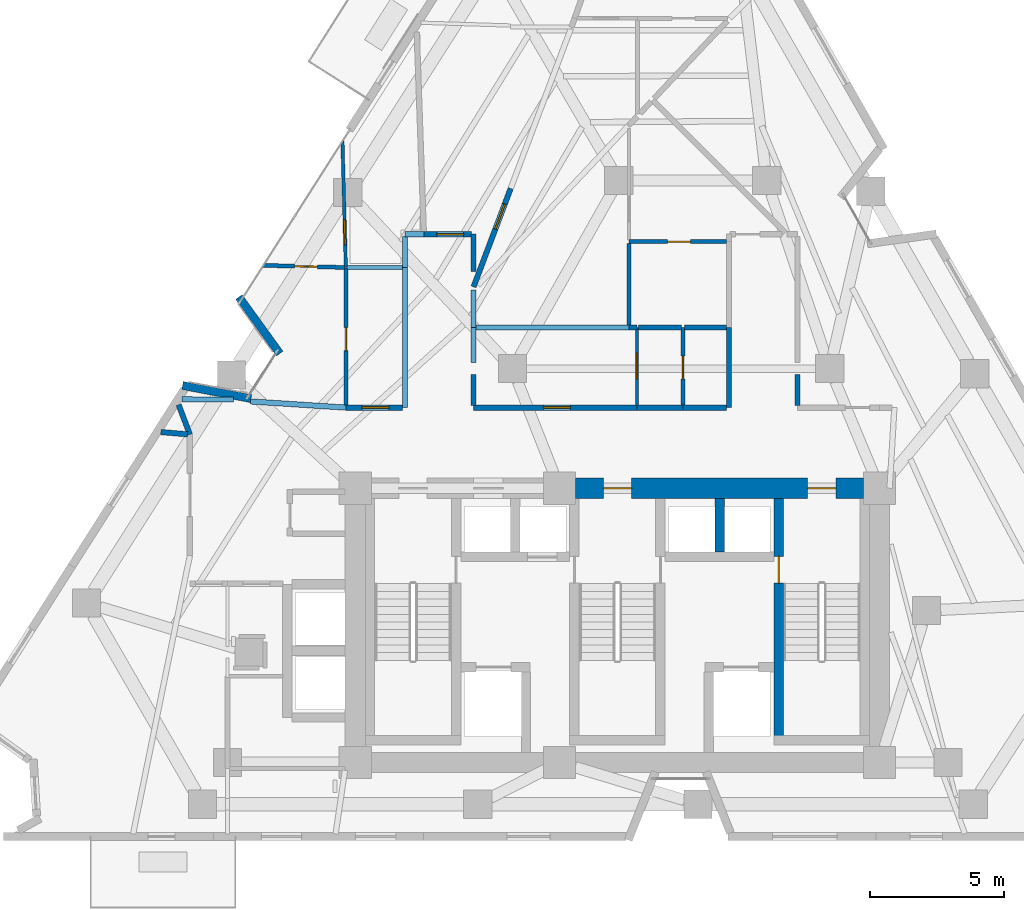
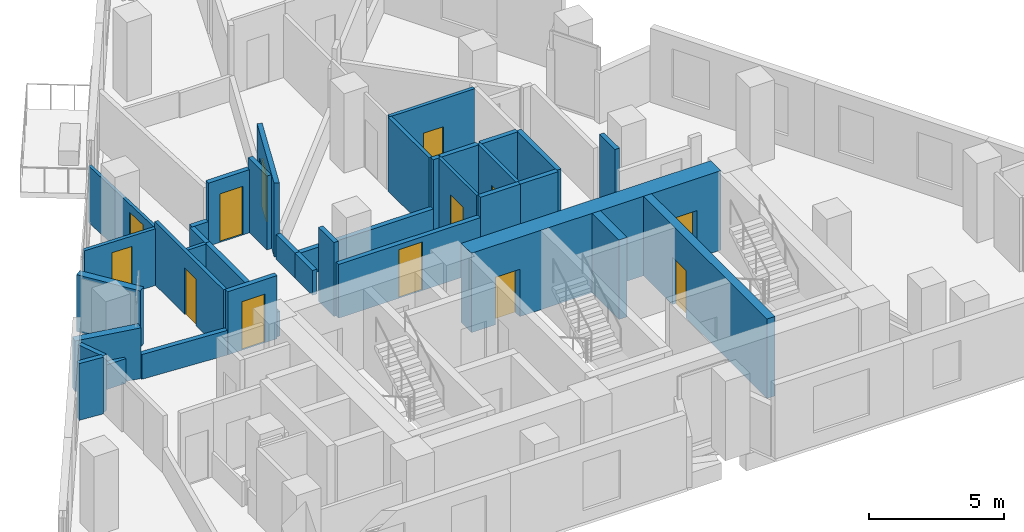
# One storey, part 7 of 11: 36 walls, 13 doors, 13 openings.
"""IFC4 building model written with IfcOpenShell, lengths in metres."""

from ifc_helpers import new_model, si_unit, direction, frame, frame_2d, origin, place, context, subcontext, project, spatial, rectangle, extrude, material, layer, layer_set, type_object, element, fill, save


model = new_model("IFC4")

# Units and contexts
model_context = context("Model", 3, precision=1e-05, world=origin(), true_north=direction((0.0, 1.0)))
body_context = subcontext(model_context, "Body", "Model", "MODEL_VIEW")
ifc_project = project(units=[si_unit("LENGTHUNIT", "METRE"), si_unit("AREAUNIT", "SQUARE_METRE"), si_unit("VOLUMEUNIT", "CUBIC_METRE"), si_unit("PLANEANGLEUNIT", "RADIAN"), si_unit("MASSUNIT", "GRAM", prefix="KILO")], contexts=[model_context])

# Site, building, storey
site_placement = place(None, origin())
site = spatial("IfcSite", under=ifc_project, at=site_placement, CompositionType="ELEMENT")
building_placement = place(site_placement, origin())
building = spatial("IfcBuilding", under=site, at=building_placement, Name="Almagre Mirador Tower", CompositionType="ELEMENT")
storey_placement = place(building_placement, frame((0.0, 0.0, 150.0)))
storey = spatial("IfcBuildingStorey", under=building, at=storey_placement, Name="L38", CompositionType="ELEMENT", Elevation=150.0)

# Walls
ifc_material_1 = material(Name="Precast concrete C50/60", Category="concrete")
ifc_layer_1 = layer(ifc_material_1, 0.300048828125)
ifc_layer_set_1 = layer_set([ifc_layer_1], Name="Precast concrete C50/60")
wall_type_1 = type_object("IfcWallType", Name="WAL-EXT-300", PredefinedType="SOLIDWALL", material=ifc_layer_set_1)
wall_1_placement = place(storey_placement, frame((21.12548828125, 18.5712890625, 0.0), z_axis=(0.0, 0.0, 1.0), x_axis=(0.982321262429, -0.187202931012, 0.0)))
element("IfcWall", 1, at=wall_1_placement, inside=storey, type_object=wall_type_1, Name="L38 expressed almagre precast frame wall 01", PredefinedType="SOLIDWALL", context=body_context, shape_type="SweptSolid", body=[
    extrude(rectangle(XDim=2.593994140625, YDim=0.300048828125, at=frame_2d((1.296875, 0.0))), origin(), (0.0, 0.0, 1.0), 2.300048828125),
])
wall_2_placement = place(storey_placement, frame((24.740966796875, 19.760498046875, 0.0), z_axis=(0.0, 0.0, 1.0), x_axis=(-0.585538656592, 0.810644485355, 0.0)))
element("IfcWall", 2, at=wall_2_placement, inside=storey, type_object=wall_type_1, Name="L38 expressed almagre precast frame wall 02", PredefinedType="SOLIDWALL", context=body_context, shape_type="SweptSolid", body=[
    extrude(rectangle(XDim=2.59423828125, YDim=0.300048828125, at=frame_2d((1.297119140625, 0.0))), origin(), (0.0, 0.0, 1.0), 2.574951171875),
])

# Wall, opening, door
ifc_material_2 = material(Name="Gypsum acoustic stud partition", Category="other")
ifc_layer_2 = layer(ifc_material_2, 0.125)
ifc_layer_set_2 = layer_set([ifc_layer_2], Name="Gypsum acoustic stud partition")
wall_type_2 = type_object("IfcWallType", Name="WAL-PRT-125-UTL", PredefinedType="PARTITIONING", material=ifc_layer_set_2)
wall_3_placement = place(storey_placement, frame((38.030029296875, 17.8349609375, 0.0), z_axis=(0.0, 0.0, 1.0), x_axis=(0.0, 1.0, 0.0)))
wall_3 = element("IfcWall", 3, at=wall_3_placement, inside=storey, type_object=wall_type_2, Name="L38 interior partition 054", PredefinedType="PARTITIONING", context=body_context, shape_type="SweptSolid", body=[
    extrude(rectangle(XDim=2.89501953125, YDim=0.125, at=frame_2d((1.447509765625, 0.0))), origin(), (0.0, 0.0, 1.0), 3.35009765625),
])
opening_1_placement = place(wall_3_placement, frame((0.98828125, 0.0, 0.0)))
opening_1 = element("IfcOpeningElement", 4, at=opening_1_placement, cuts=wall_3, Name="Opening UD-01", PredefinedType="OPENING", context=body_context, shape_type="SweptSolid", body=[
    extrude(rectangle(XDim=0.949951171875, YDim=2.199951171875, at=frame_2d((0.47509765625, 1.10009765625))), frame((0.0, 0.0725, 0.0), z_axis=(0.0, -1.0, 0.0), x_axis=(1.0, 0.0, 0.0)), (0.0, 0.0, 1.0), 0.145),
])
ifc_material_3 = material(Name="Solid American walnut timber", Category="wood")
door_type_1 = type_object("IfcDoorType", Name="DOR-UNR-950X2200", OperationType="NOTDEFINED", PredefinedType="DOOR", material=ifc_material_3)
door_1_placement = place(opening_1_placement, origin())
door_1 = element("IfcDoor", 5, at=door_1_placement, inside=storey, type_object=door_type_1, Name="DR-1236 L38 interior door L38-UF-ST to L38-UF-KT", OperationType="SINGLE_SWING_RIGHT", OverallHeight=2.199951171875, OverallWidth=0.949951171875, PredefinedType="DOOR", context=body_context, shape_type="SweptSolid", body=[
    extrude(rectangle(XDim=0.949951171875, YDim=2.199951171875, at=frame_2d((0.47509765625, 1.10009765625))), frame((0.0, 0.02490234375, 0.0), z_axis=(0.0, -1.0, 0.0), x_axis=(1.0, 0.0, 0.0)), (0.0, 0.0, 1.0), 0.050048828125),
])
fill(opening_1, door_1)

wall_4_placement = place(storey_placement, frame((27.073974609375, 27.669921875, 0.0), z_axis=(0.0, 0.0, 1.0), x_axis=(0.026737275943, -0.999642495133, 0.0)))
wall_4 = element("IfcWall", 6, at=wall_4_placement, inside=storey, type_object=wall_type_2, Name="L38 interior partition 060", PredefinedType="PARTITIONING", context=body_context, shape_type="SweptSolid", body=[
    extrude(rectangle(XDim=4.711669921875, YDim=0.125, at=frame_2d((2.35595703125, 0.0))), origin(), (0.0, 0.0, 1.0), 2.570068359375),
])
opening_2_placement = place(wall_4_placement, frame((2.92529296875, 0.0, 0.0)))
opening_2 = element("IfcOpeningElement", 7, at=opening_2_placement, cuts=wall_4, Name="Opening UD-01", PredefinedType="OPENING", context=body_context, shape_type="SweptSolid", body=[
    extrude(rectangle(XDim=0.949951171875, YDim=2.199951171875, at=frame_2d((0.47509765625, 1.10009765625))), frame((0.0, 0.0725, 0.0), z_axis=(0.0, -1.0, 0.0), x_axis=(1.0, 0.0, 0.0)), (0.0, 0.0, 1.0), 0.145),
])
door_2_placement = place(opening_2_placement, origin())
door_2 = element("IfcDoor", 8, at=door_2_placement, inside=storey, type_object=door_type_1, Name="DR-1239 L38 interior door L38-UG-LV to L38-UG-KT", OperationType="SINGLE_SWING_LEFT", OverallHeight=2.199951171875, OverallWidth=0.949951171875, PredefinedType="DOOR", context=body_context, shape_type="SweptSolid", body=[
    extrude(rectangle(XDim=0.949951171875, YDim=2.199951171875, at=frame_2d((0.47509765625, 1.10009765625))), frame((0.0, 0.02490234375, 0.0), z_axis=(0.0, -1.0, 0.0), x_axis=(1.0, 0.0, 0.0)), (0.0, 0.0, 1.0), 0.050048828125),
])
fill(opening_2, door_2)

ifc_material_4 = material(Name="Gypsum acoustic stud partition", Category="other")
ifc_layer_3 = layer(ifc_material_4, 0.14990234375)
ifc_layer_set_3 = layer_set([ifc_layer_3], Name="Gypsum acoustic stud partition")
wall_type_3 = type_object("IfcWallType", Name="WAL-PRT-150-STD", PredefinedType="PARTITIONING", material=ifc_layer_set_3)
wall_5_placement = place(storey_placement, frame((39.739990234375, 17.8349609375, 0.0), z_axis=(0.0, 0.0, 1.0), x_axis=(0.0, 1.0, 0.0)))
wall_5 = element("IfcWall", 9, at=wall_5_placement, inside=storey, type_object=wall_type_3, Name="L38 interior partition 057", PredefinedType="PARTITIONING", context=body_context, shape_type="SweptSolid", body=[
    extrude(rectangle(XDim=2.89501953125, YDim=0.14990234375, at=frame_2d((1.447509765625, 0.0))), origin(), (0.0, 0.0, 1.0), 3.35009765625),
])
opening_3_placement = place(wall_5_placement, frame((0.97998046875, 0.0, 0.0)))
opening_3 = element("IfcOpeningElement", 10, at=opening_3_placement, cuts=wall_5, Name="Opening UD-04", PredefinedType="OPENING", context=body_context, shape_type="SweptSolid", body=[
    extrude(rectangle(XDim=0.85009765625, YDim=2.10009765625, at=frame_2d((0.425048828125, 1.050048828125))), frame((0.0, 0.084951, 0.0), z_axis=(0.0, -1.0, 0.0), x_axis=(1.0, 0.0, 0.0)), (0.0, 0.0, 1.0), 0.169902),
])
ifc_material_5 = material(Name="Moisture-resistant oak timber", Category="wood")
door_type_2 = type_object("IfcDoorType", Name="DOR-UNR-850X2100", OperationType="NOTDEFINED", PredefinedType="DOOR", material=ifc_material_5)
door_3_placement = place(opening_3_placement, origin())
door_3 = element("IfcDoor", 11, at=door_3_placement, inside=storey, type_object=door_type_2, Name="DR-1237 L38 interior door L38-UF-KT to L38-UF-BT", OperationType="SINGLE_SWING_LEFT", OverallHeight=2.10009765625, OverallWidth=0.85009765625, PredefinedType="DOOR", context=body_context, shape_type="SweptSolid", body=[
    extrude(rectangle(XDim=0.85009765625, YDim=2.10009765625, at=frame_2d((0.425048828125, 1.050048828125))), frame((0.0, 0.02490234375, 0.0), z_axis=(0.0, -1.0, 0.0), x_axis=(1.0, 0.0, 0.0)), (0.0, 0.0, 1.0), 0.050048828125),
])
fill(opening_3, door_3)

# Wall
wall_6_placement = place(storey_placement, frame((27.24755859375, 22.9599609375, 0.0), z_axis=(0.0, 0.0, 1.0), x_axis=(1.0, 0.0, 0.0)))
element("IfcWall", 12, at=wall_6_placement, inside=storey, type_object=wall_type_3, Name="L38 interior partition 061", PredefinedType="PARTITIONING", context=body_context, shape_type="SweptSolid", body=[
    extrude(rectangle(XDim=2.0673828125, YDim=0.14990234375, at=frame_2d((1.03369140625, 0.0))), origin(), (0.0, 0.0, 1.0), 1.1201171875),
])

# Wall, opening, door
wall_7_placement = place(storey_placement, frame((27.152587890625, 22.961181640625, 0.0), z_axis=(0.0, 0.0, 1.0), x_axis=(-0.999660967969, 0.026037456064, 0.0)))
wall_7 = element("IfcWall", 13, at=wall_7_placement, inside=storey, type_object=wall_type_3, Name="L38 interior partition 063", PredefinedType="PARTITIONING", context=body_context, shape_type="SweptSolid", body=[
    extrude(rectangle(XDim=3.028564453125, YDim=0.14990234375, at=frame_2d((1.51416015625, 0.0))), origin(), (0.0, 0.0, 1.0), 2.570068359375),
])
opening_4_placement = place(wall_7_placement, frame((1.00830078125, 0.0, 0.0)))
opening_4 = element("IfcOpeningElement", 14, at=opening_4_placement, cuts=wall_7, Name="Opening UD-04", PredefinedType="OPENING", context=body_context, shape_type="SweptSolid", body=[
    extrude(rectangle(XDim=0.85009765625, YDim=2.10009765625, at=frame_2d((0.425048828125, 1.050048828125))), frame((0.0, 0.084951, 0.0), z_axis=(0.0, -1.0, 0.0), x_axis=(1.0, 0.0, 0.0)), (0.0, 0.0, 1.0), 0.169902),
])
door_4_placement = place(opening_4_placement, origin())
door_4 = element("IfcDoor", 15, at=door_4_placement, inside=storey, type_object=door_type_2, Name="DR-1240 L38 interior door L38-UG-BT to L38-UG-KT", OperationType="SINGLE_SWING_RIGHT", OverallHeight=2.10009765625, OverallWidth=0.85009765625, PredefinedType="DOOR", context=body_context, shape_type="SweptSolid", body=[
    extrude(rectangle(XDim=0.85009765625, YDim=2.10009765625, at=frame_2d((0.425048828125, 1.050048828125))), frame((0.0, 0.02490234375, 0.0), z_axis=(0.0, -1.0, 0.0), x_axis=(1.0, 0.0, 0.0)), (0.0, 0.0, 1.0), 0.050048828125),
])
fill(opening_4, door_4)

wall_8_placement = place(storey_placement, frame((27.199951171875, 17.8349609375, 0.0), z_axis=(0.0, 0.0, 1.0), x_axis=(0.0, 1.0, 0.0)))
wall_8 = element("IfcWall", 16, at=wall_8_placement, inside=storey, type_object=wall_type_3, Name="L38 interior partition 064", PredefinedType="PARTITIONING", context=body_context, shape_type="SweptSolid", body=[
    extrude(rectangle(XDim=5.112548828125, YDim=0.14990234375, at=frame_2d((2.55615234375, 0.0))), origin(), (0.0, 0.0, 1.0), 2.860107421875),
])
opening_5_placement = place(wall_8_placement, frame((2.03662109375, 0.0, 0.0)))
opening_5 = element("IfcOpeningElement", 17, at=opening_5_placement, cuts=wall_8, Name="Opening UD-04", PredefinedType="OPENING", context=body_context, shape_type="SweptSolid", body=[
    extrude(rectangle(XDim=0.85009765625, YDim=2.10009765625, at=frame_2d((0.425048828125, 1.050048828125))), frame((0.0, 0.084951, 0.0), z_axis=(0.0, -1.0, 0.0), x_axis=(1.0, 0.0, 0.0)), (0.0, 0.0, 1.0), 0.169902),
])
door_5_placement = place(opening_5_placement, origin())
door_5 = element("IfcDoor", 18, at=door_5_placement, inside=storey, type_object=door_type_2, Name="DR-1249 L38 interior door L38-UG-BT to L38-UG-B1", OperationType="SINGLE_SWING_LEFT", OverallHeight=2.10009765625, OverallWidth=0.85009765625, PredefinedType="DOOR", context=body_context, shape_type="SweptSolid", body=[
    extrude(rectangle(XDim=0.85009765625, YDim=2.10009765625, at=frame_2d((0.425048828125, 1.050048828125))), frame((0.0, 0.02490234375, 0.0), z_axis=(0.0, -1.0, 0.0), x_axis=(1.0, 0.0, 0.0)), (0.0, 0.0, 1.0), 0.050048828125),
])
fill(opening_5, door_5)

wall_9_placement = place(storey_placement, frame((37.72998046875, 23.919921875, 0.0), z_axis=(0.0, 0.0, 1.0), x_axis=(1.0, 0.0, 0.0)))
wall_9 = element("IfcWall", 19, at=wall_9_placement, inside=storey, type_object=wall_type_3, Name="L38 interior partition 065", PredefinedType="PARTITIONING", context=body_context, shape_type="SweptSolid", body=[
    extrude(rectangle(XDim=3.635009765625, YDim=0.14990234375, at=frame_2d((1.8173828125, 0.0))), origin(), (0.0, 0.0, 1.0), 3.35009765625),
])
opening_6_placement = place(wall_9_placement, frame((1.43505859375, 0.0, 0.0)))
opening_6 = element("IfcOpeningElement", 20, at=opening_6_placement, cuts=wall_9, Name="Opening UD-04", PredefinedType="OPENING", context=body_context, shape_type="SweptSolid", body=[
    extrude(rectangle(XDim=0.85009765625, YDim=2.10009765625, at=frame_2d((0.425048828125, 1.050048828125))), frame((0.0, 0.084951, 0.0), z_axis=(0.0, -1.0, 0.0), x_axis=(1.0, 0.0, 0.0)), (0.0, 0.0, 1.0), 0.169902),
])
door_6_placement = place(opening_6_placement, origin())
door_6 = element("IfcDoor", 21, at=door_6_placement, inside=storey, type_object=door_type_2, Name="DR-1243 L38 interior door L38-UH-ST to L38-UH-BT", OperationType="SINGLE_SWING_RIGHT", OverallHeight=2.10009765625, OverallWidth=0.85009765625, PredefinedType="DOOR", context=body_context, shape_type="SweptSolid", body=[
    extrude(rectangle(XDim=0.85009765625, YDim=2.10009765625, at=frame_2d((0.425048828125, 1.050048828125))), frame((0.0, 0.02490234375, 0.0), z_axis=(0.0, -1.0, 0.0), x_axis=(1.0, 0.0, 0.0)), (0.0, 0.0, 1.0), 0.050048828125),
])
fill(opening_6, door_6)

# Walls
wall_10_placement = place(storey_placement, frame((37.72998046875, 23.860107421875, 0.0), z_axis=(0.0, 0.0, 1.0), x_axis=(0.0, -1.0, 0.0)))
element("IfcWall", 22, at=wall_10_placement, inside=storey, type_object=wall_type_3, Name="L38 interior partition 070", PredefinedType="PARTITIONING", context=body_context, shape_type="SweptSolid", body=[
    extrude(rectangle(XDim=3.045166015625, YDim=0.14990234375, at=frame_2d((1.5224609375, 0.0))), origin(), (0.0, 0.0, 1.0), 3.35009765625),
])
ifc_material_6 = material(Name="Gypsum acoustic stud partition", Category="other")
ifc_layer_4 = layer(ifc_material_6, 0.199951171875)
ifc_layer_set_4 = layer_set([ifc_layer_4], Name="Gypsum acoustic stud partition")
wall_type_4 = type_object("IfcWallType", Name="WAL-PRT-200-EI60", PredefinedType="PARTITIONING", material=ifc_layer_set_4)
wall_11_placement = place(storey_placement, frame((44.0, 17.8349609375, 0.0), z_axis=(0.0, 0.0, 1.0), x_axis=(0.0, 1.0, 0.0)))
element("IfcWall", 23, at=wall_11_placement, inside=storey, type_object=wall_type_4, Name="L38 interior partition 008", PredefinedType="PARTITIONING", context=body_context, shape_type="SweptSolid", body=[
    extrude(rectangle(XDim=1.14501953125, YDim=0.199951171875, at=frame_2d((0.572509765625, 0.0))), origin(), (0.0, 0.0, 1.0), 3.35009765625),
])

# Wall, opening, door
wall_12_placement = place(storey_placement, frame((38.030029296875, 17.75, 0.0), z_axis=(0.0, 0.0, 1.0), x_axis=(-1.0, 0.0, 0.0)))
wall_12 = element("IfcWall", 24, at=wall_12_placement, inside=storey, type_object=wall_type_4, Name="L38 interior partition 010", PredefinedType="PARTITIONING", context=body_context, shape_type="SweptSolid", body=[
    extrude(rectangle(XDim=6.080078125, YDim=0.199951171875, at=frame_2d((3.0400390625, 0.0))), origin(), (0.0, 0.0, 1.0), 2.43603515625),
])
opening_7_placement = place(wall_12_placement, frame((2.4814453125, 0.0, 0.0)))
opening_7 = element("IfcOpeningElement", 25, at=opening_7_placement, cuts=wall_12, Name="Opening ID-01", PredefinedType="OPENING", context=body_context, shape_type="SweptSolid", body=[
    extrude(rectangle(XDim=1.0, YDim=2.199951171875, at=frame_2d((0.5, 1.10009765625))), frame((0.0, 0.110098, 0.0), z_axis=(0.0, -1.0, 0.0), x_axis=(1.0, 0.0, 0.0)), (0.0, 0.0, 1.0), 0.219951),
])
ifc_material_7 = material(Name="Fire-rated walnut timber", Category="wood")
door_type_3 = type_object("IfcDoorType", Name="DOR-FD60-1000X2200", OperationType="NOTDEFINED", PredefinedType="DOOR", material=ifc_material_7)
door_7_placement = place(opening_7_placement, origin())
door_7 = element("IfcDoor", 26, at=door_7_placement, inside=storey, type_object=door_type_3, Name="DR-1235 L38 interior door L38-RCOR to L38-UF-ST", OperationType="SINGLE_SWING_LEFT", OverallHeight=2.199951171875, OverallWidth=1.0, PredefinedType="DOOR", context=body_context, shape_type="SweptSolid", body=[
    extrude(rectangle(XDim=1.0, YDim=2.199951171875, at=frame_2d((0.5, 1.10009765625))), frame((0.0, 0.02490234375, 0.0), z_axis=(0.0, -1.0, 0.0), x_axis=(1.0, 0.0, 0.0)), (0.0, 0.0, 1.0), 0.050048828125),
])
fill(opening_7, door_7)

# Walls
wall_13_placement = place(storey_placement, frame((31.949951171875, 17.8349609375, 0.0), z_axis=(0.0, 0.0, 1.0), x_axis=(0.0, 1.0, 0.0)))
element("IfcWall", 27, at=wall_13_placement, inside=storey, type_object=wall_type_4, Name="L38 interior partition 011", PredefinedType="PARTITIONING", context=body_context, shape_type="SweptSolid", body=[
    extrude(rectangle(XDim=1.14501953125, YDim=0.199951171875, at=frame_2d((0.572509765625, 0.0))), origin(), (0.0, 0.0, 1.0), 3.35009765625),
])
wall_14_placement = place(storey_placement, frame((31.949951171875, 19.419921875, 0.0), z_axis=(0.0, 0.0, 1.0), x_axis=(0.0, 1.0, 0.0)))
element("IfcWall", 28, at=wall_14_placement, inside=storey, type_object=wall_type_4, Name="L38 interior partition 012", PredefinedType="PARTITIONING", context=body_context, shape_type="SweptSolid", body=[
    extrude(rectangle(XDim=1.31005859375, YDim=0.199951171875, at=frame_2d((0.655029296875, 0.0))), origin(), (0.0, 0.0, 1.0), 1.1201171875),
])
wall_15_placement = place(storey_placement, frame((39.739990234375, 17.75, 0.0), z_axis=(0.0, 0.0, 1.0), x_axis=(-1.0, 0.0, 0.0)))
element("IfcWall", 29, at=wall_15_placement, inside=storey, type_object=wall_type_4, Name="L38 interior partition 013", PredefinedType="PARTITIONING", context=body_context, shape_type="SweptSolid", body=[
    extrude(rectangle(XDim=1.7099609375, YDim=0.199951171875, at=frame_2d((0.85498046875, 0.0))), origin(), (0.0, 0.0, 1.0), 3.35009765625),
])
wall_16_placement = place(storey_placement, frame((41.449951171875, 20.72998046875, 0.0), z_axis=(0.0, 0.0, 1.0), x_axis=(0.0, -1.0, 0.0)))
element("IfcWall", 30, at=wall_16_placement, inside=storey, type_object=wall_type_4, Name="L38 interior partition 014", PredefinedType="PARTITIONING", context=body_context, shape_type="SweptSolid", body=[
    extrude(rectangle(XDim=2.97998046875, YDim=0.199951171875, at=frame_2d((1.489990234375, 0.0))), origin(), (0.0, 0.0, 1.0), 3.35009765625),
])
wall_17_placement = place(storey_placement, frame((41.364990234375, 17.75, 0.0), z_axis=(0.0, 0.0, 1.0), x_axis=(-1.0, 0.0, 0.0)))
element("IfcWall", 31, at=wall_17_placement, inside=storey, type_object=wall_type_4, Name="L38 interior partition 015", PredefinedType="PARTITIONING", context=body_context, shape_type="SweptSolid", body=[
    extrude(rectangle(XDim=1.625, YDim=0.199951171875, at=frame_2d((0.8125, 0.0))), origin(), (0.0, 0.0, 1.0), 3.35009765625),
])
wall_18_placement = place(storey_placement, frame((30.10009765625, 24.199951171875, 0.0), z_axis=(0.0, 0.0, 1.0), x_axis=(-1.0, 0.0, 0.0)))
element("IfcWall", 32, at=wall_18_placement, inside=storey, type_object=wall_type_4, Name="L38 interior partition 016", PredefinedType="PARTITIONING", context=body_context, shape_type="SweptSolid", body=[
    extrude(rectangle(XDim=0.7001953125, YDim=0.199951171875, at=frame_2d((0.35009765625, 0.0))), origin(), (0.0, 0.0, 1.0), 1.1201171875),
])
wall_19_placement = place(storey_placement, frame((29.39990234375, 24.114990234375, 0.0), z_axis=(0.0, 0.0, 1.0), x_axis=(0.0, -1.0, 0.0)))
element("IfcWall", 33, at=wall_19_placement, inside=storey, type_object=wall_type_4, Name="L38 interior partition 017", PredefinedType="PARTITIONING", context=body_context, shape_type="SweptSolid", body=[
    extrude(rectangle(XDim=1.155029296875, YDim=0.199951171875, at=frame_2d((0.57763671875, 0.0))), origin(), (0.0, 0.0, 1.0), 1.1201171875),
])
wall_20_placement = place(storey_placement, frame((27.199951171875, 17.75, 0.0), z_axis=(0.0, 0.0, 1.0), x_axis=(-0.997922175828, 0.064430823302, 0.0)))
element("IfcWall", 34, at=wall_20_placement, inside=storey, type_object=wall_type_4, Name="L38 interior partition 018", PredefinedType="PARTITIONING", context=body_context, shape_type="SweptSolid", body=[
    extrude(rectangle(XDim=3.55419921875, YDim=0.199951171875, at=frame_2d((1.777099609375, 0.0))), origin(), (0.0, 0.0, 1.0), 1.1201171875),
])
wall_21_placement = place(storey_placement, frame((20.98095703125, 17.85693359375, 0.0), z_axis=(0.0, 0.0, 1.0), x_axis=(0.353970125301, -0.935256729671, 0.0)))
element("IfcWall", 35, at=wall_21_placement, inside=storey, type_object=wall_type_4, Name="L38 interior partition 019", PredefinedType="PARTITIONING", context=body_context, shape_type="SweptSolid", body=[
    extrude(rectangle(XDim=1.18359375, YDim=0.199951171875, at=frame_2d((0.591796875, 0.0))), origin(), (0.0, 0.0, 1.0), 2.570068359375),
])
wall_22_placement = place(storey_placement, frame((29.39990234375, 22.9599609375, 0.0), z_axis=(0.0, 0.0, 1.0), x_axis=(0.0, -1.0, 0.0)))
element("IfcWall", 36, at=wall_22_placement, inside=storey, type_object=wall_type_4, Name="L38 interior partition 020", PredefinedType="PARTITIONING", context=body_context, shape_type="SweptSolid", body=[
    extrude(rectangle(XDim=5.2099609375, YDim=0.199951171875, at=frame_2d((2.60498046875, 0.0))), origin(), (0.0, 0.0, 1.0), 1.1201171875),
])

# Wall, opening, door
wall_23_placement = place(storey_placement, frame((29.31494140625, 17.75, 0.0), z_axis=(0.0, 0.0, 1.0), x_axis=(-1.0, 0.0, 0.0)))
wall_23 = element("IfcWall", 37, at=wall_23_placement, inside=storey, type_object=wall_type_4, Name="L38 interior partition 021", PredefinedType="PARTITIONING", context=body_context, shape_type="SweptSolid", body=[
    extrude(rectangle(XDim=2.114990234375, YDim=0.199951171875, at=frame_2d((1.0576171875, 0.0))), origin(), (0.0, 0.0, 1.0), 2.860107421875),
])
opening_8_placement = place(wall_23_placement, frame((0.514892578125, 0.0, 0.0)))
opening_8 = element("IfcOpeningElement", 38, at=opening_8_placement, cuts=wall_23, Name="Opening ID-01", PredefinedType="OPENING", context=body_context, shape_type="SweptSolid", body=[
    extrude(rectangle(XDim=1.0, YDim=2.199951171875, at=frame_2d((0.5, 1.10009765625))), frame((0.0, 0.110098, 0.0), z_axis=(0.0, -1.0, 0.0), x_axis=(1.0, 0.0, 0.0)), (0.0, 0.0, 1.0), 0.219951),
])
door_8_placement = place(opening_8_placement, origin())
door_8 = element("IfcDoor", 39, at=door_8_placement, inside=storey, type_object=door_type_3, Name="DR-1238 L38 interior door L38-RCOR to L38-UG-B1", OperationType="SINGLE_SWING_RIGHT", OverallHeight=2.199951171875, OverallWidth=1.0, PredefinedType="DOOR", context=body_context, shape_type="SweptSolid", body=[
    extrude(rectangle(XDim=1.0, YDim=2.199951171875, at=frame_2d((0.5, 1.10009765625))), frame((0.0, 0.02490234375, 0.0), z_axis=(0.0, -1.0, 0.0), x_axis=(1.0, 0.0, 0.0)), (0.0, 0.0, 1.0), 0.050048828125),
])
fill(opening_8, door_8)

# Walls
wall_24_placement = place(storey_placement, frame((31.949951171875, 20.72998046875, 0.0), z_axis=(0.0, 0.0, 1.0), x_axis=(0.0, 1.0, 0.0)))
element("IfcWall", 40, at=wall_24_placement, inside=storey, type_object=wall_type_4, Name="L38 interior partition 025", PredefinedType="PARTITIONING", context=body_context, shape_type="SweptSolid", body=[
    extrude(rectangle(XDim=1.39013671875, YDim=0.199951171875, at=frame_2d((0.695068359375, 0.0))), origin(), (0.0, 0.0, 1.0), 1.1201171875),
])
wall_25_placement = place(storey_placement, frame((31.949951171875, 22.806884765625, 0.0), z_axis=(0.0, 0.0, 1.0), x_axis=(0.0, 1.0, 0.0)))
element("IfcWall", 41, at=wall_25_placement, inside=storey, type_object=wall_type_4, Name="L38 interior partition 028", PredefinedType="PARTITIONING", context=body_context, shape_type="SweptSolid", body=[
    extrude(rectangle(XDim=1.39306640625, YDim=0.199951171875, at=frame_2d((0.696533203125, 0.0))), origin(), (0.0, 0.0, 1.0), 3.35009765625),
])

# Wall, opening, door
wall_26_placement = place(storey_placement, frame((31.864990234375, 24.199951171875, 0.0), z_axis=(0.0, 0.0, 1.0), x_axis=(-1.0, 0.0, 0.0)))
wall_26 = element("IfcWall", 42, at=wall_26_placement, inside=storey, type_object=wall_type_4, Name="L38 interior partition 029", PredefinedType="PARTITIONING", context=body_context, shape_type="SweptSolid", body=[
    extrude(rectangle(XDim=1.764892578125, YDim=0.199951171875, at=frame_2d((0.88232421875, 0.0))), origin(), (0.0, 0.0, 1.0), 2.860107421875),
])
opening_9_placement = place(wall_26_placement, frame((0.282958984375, 0.0, 0.0)))
opening_9 = element("IfcOpeningElement", 43, at=opening_9_placement, cuts=wall_26, Name="Opening ID-01", PredefinedType="OPENING", context=body_context, shape_type="SweptSolid", body=[
    extrude(rectangle(XDim=1.0, YDim=2.199951171875, at=frame_2d((0.5, 1.10009765625))), frame((0.0, 0.110098, 0.0), z_axis=(0.0, -1.0, 0.0), x_axis=(1.0, 0.0, 0.0)), (0.0, 0.0, 1.0), 0.219951),
])
door_9_placement = place(opening_9_placement, origin())
door_9 = element("IfcDoor", 44, at=door_9_placement, inside=storey, type_object=door_type_3, Name="DR-1244 L38 interior door L38-RCOR to L38-UK-ST", OperationType="SINGLE_SWING_LEFT", OverallHeight=2.199951171875, OverallWidth=1.0, PredefinedType="DOOR", context=body_context, shape_type="SweptSolid", body=[
    extrude(rectangle(XDim=1.0, YDim=2.199951171875, at=frame_2d((0.5, 1.10009765625))), frame((0.0, 0.02490234375, 0.0), z_axis=(0.0, -1.0, 0.0), x_axis=(1.0, 0.0, 0.0)), (0.0, 0.0, 1.0), 0.050048828125),
])
fill(opening_9, door_9)

# Walls
wall_27_placement = place(storey_placement, frame((21.315185546875, 16.75537109375, 0.0), z_axis=(0.0, 0.0, 1.0), x_axis=(-0.996327050831, 0.085629479638, 0.0)))
element("IfcWall", 45, at=wall_27_placement, inside=storey, type_object=wall_type_4, Name="L38 interior partition 031", PredefinedType="PARTITIONING", context=body_context, shape_type="SweptSolid", body=[
    extrude(rectangle(XDim=1.000732421875, YDim=0.199951171875, at=frame_2d((0.50048828125, 0.0))), origin(), (0.0, 0.0, 1.0), 2.570068359375),
])
wall_28_placement = place(storey_placement, frame((38.030029296875, 20.72998046875, 0.0), z_axis=(0.0, 0.0, 1.0), x_axis=(-1.0, 0.0, 0.0)))
element("IfcWall", 46, at=wall_28_placement, inside=storey, type_object=wall_type_4, Name="L38 interior partition 055", PredefinedType="PARTITIONING", context=body_context, shape_type="SweptSolid", body=[
    extrude(rectangle(XDim=0.300048828125, YDim=0.199951171875, at=frame_2d((0.14990234375, 0.0))), origin(), (0.0, 0.0, 1.0), 3.35009765625),
])
wall_29_placement = place(storey_placement, frame((37.72998046875, 20.72998046875, 0.0), z_axis=(0.0, 0.0, 1.0), x_axis=(-1.0, 0.0, 0.0)))
element("IfcWall", 47, at=wall_29_placement, inside=storey, type_object=wall_type_4, Name="L38 interior partition 056", PredefinedType="PARTITIONING", context=body_context, shape_type="SweptSolid", body=[
    extrude(rectangle(XDim=5.695068359375, YDim=0.199951171875, at=frame_2d((2.84765625, 0.0))), origin(), (0.0, 0.0, 1.0), 1.1201171875),
])
wall_30_placement = place(storey_placement, frame((39.679931640625, 20.72998046875, 0.0), z_axis=(0.0, 0.0, 1.0), x_axis=(-1.0, 0.0, 0.0)))
element("IfcWall", 48, at=wall_30_placement, inside=storey, type_object=wall_type_4, Name="L38 interior partition 058", PredefinedType="PARTITIONING", context=body_context, shape_type="SweptSolid", body=[
    extrude(rectangle(XDim=1.6025390625, YDim=0.199951171875, at=frame_2d((0.80126953125, 0.0))), origin(), (0.0, 0.0, 1.0), 3.35009765625),
])
wall_31_placement = place(storey_placement, frame((41.364990234375, 20.72998046875, 0.0), z_axis=(0.0, 0.0, 1.0), x_axis=(-1.0, 0.0, 0.0)))
element("IfcWall", 49, at=wall_31_placement, inside=storey, type_object=wall_type_4, Name="L38 interior partition 059", PredefinedType="PARTITIONING", context=body_context, shape_type="SweptSolid", body=[
    extrude(rectangle(XDim=1.56494140625, YDim=0.199951171875, at=frame_2d((0.782470703125, 0.0))), origin(), (0.0, 0.0, 1.0), 3.35009765625),
])

# Wall, opening, door
wall_32_placement = place(storey_placement, frame((31.949951171875, 22.239990234375, 0.0), z_axis=(0.0, 0.0, 1.0), x_axis=(0.352839728949, 0.9356837744, 0.0)))
wall_32 = element("IfcWall", 50, at=wall_32_placement, inside=storey, type_object=wall_type_4, Name="L38 interior partition 076", PredefinedType="PARTITIONING", context=body_context, shape_type="SweptSolid", body=[
    extrude(rectangle(XDim=3.911376953125, YDim=0.199951171875, at=frame_2d((1.95556640625, 0.0))), origin(), (0.0, 0.0, 1.0), 3.35009765625),
])
opening_10_placement = place(wall_32_placement, frame((2.293212890625, 0.0, 0.0)))
opening_10 = element("IfcOpeningElement", 51, at=opening_10_placement, cuts=wall_32, Name="Opening ID-01", PredefinedType="OPENING", context=body_context, shape_type="SweptSolid", body=[
    extrude(rectangle(XDim=1.0, YDim=2.199951171875, at=frame_2d((0.5, 1.10009765625))), frame((0.0, 0.110098, 0.0), z_axis=(0.0, -1.0, 0.0), x_axis=(1.0, 0.0, 0.0)), (0.0, 0.0, 1.0), 0.219951),
])
door_10_placement = place(opening_10_placement, origin())
door_10 = element("IfcDoor", 52, at=door_10_placement, inside=storey, type_object=door_type_3, Name="DR-1247 L38 interior door L38-UK-ST to L38-UL-KT", OperationType="SINGLE_SWING_RIGHT", OverallHeight=2.199951171875, OverallWidth=1.0, PredefinedType="DOOR", context=body_context, shape_type="SweptSolid", body=[
    extrude(rectangle(XDim=1.0, YDim=2.199951171875, at=frame_2d((0.5, 1.10009765625))), frame((0.0, 0.02490234375, 0.0), z_axis=(0.0, -1.0, 0.0), x_axis=(1.0, 0.0, 0.0)), (0.0, 0.0, 1.0), 0.050048828125),
])
fill(opening_10, door_10)

# Wall
wall_33_placement = place(storey_placement, frame((23.014892578125, 18.052978515625, 0.0), z_axis=(0.0, 0.0, 1.0), x_axis=(-0.999999869012, 0.000511836145, 0.0)))
element("IfcWall", 53, at=wall_33_placement, inside=storey, type_object=wall_type_4, Name="L38 interior partition 095", PredefinedType="PARTITIONING", context=body_context, shape_type="SweptSolid", body=[
    extrude(rectangle(XDim=1.907958984375, YDim=0.199951171875, at=frame_2d((0.9541015625, 0.0))), origin(), (0.0, 0.0, 1.0), 1.1201171875),
])

# Wall, opening, door
ifc_material_8 = material(Name="Concrete C60/75", Category="concrete")
ifc_layer_5 = layer(ifc_material_8, 0.35009765625)
ifc_layer_set_5 = layer_set([ifc_layer_5], Name="Concrete C60/75")
wall_type_5 = type_object("IfcWallType", Name="WAL-SHF-350", PredefinedType="SOLIDWALL", material=ifc_layer_set_5)
wall_34_placement = place(storey_placement, frame((43.300048828125, 5.199951171875, 0.0), z_axis=(0.0, 0.0, 1.0), x_axis=(0.0, 1.0, 0.0)))
wall_34 = element("IfcWall", 54, at=wall_34_placement, inside=storey, type_object=wall_type_5, Name="L38 shaft wall ST3-W", PredefinedType="SOLIDWALL", context=body_context, shape_type="SweptSolid", body=[
    extrude(rectangle(XDim=9.175048828125, YDim=0.35009765625, at=frame_2d((4.58740234375, 0.0))), origin(), (0.0, 0.0, 1.0), 3.60009765625),
])
opening_11_placement = place(wall_34_placement, frame((6.02001953125, 0.0, 0.0)))
opening_11 = element("IfcOpeningElement", 55, at=opening_11_placement, cuts=wall_34, Name="Opening FD-01", PredefinedType="OPENING", context=body_context, shape_type="SweptSolid", body=[
    extrude(rectangle(XDim=1.0, YDim=2.14990234375, at=frame_2d((0.5, 1.074951171875))), frame((0.0, 0.185049, 0.0), z_axis=(0.0, -1.0, 0.0), x_axis=(1.0, 0.0, 0.0)), (0.0, 0.0, 1.0), 0.370098),
])
ifc_material_9 = material(Name="Fire-rated hollow steel", Category="steel")
door_type_4 = type_object("IfcDoorType", Name="DOR-FFL-1000X2150", OperationType="NOTDEFINED", PredefinedType="DOOR", material=ifc_material_9)
door_11_placement = place(opening_11_placement, origin())
door_11 = element("IfcDoor", 56, at=door_11_placement, inside=storey, type_object=door_type_4, Name="DR-1232 L38 FFL2-ST3 smokeproof door", OperationType="SINGLE_SWING_LEFT", OverallHeight=2.14990234375, OverallWidth=1.0, PredefinedType="DOOR", context=body_context, shape_type="SweptSolid", body=[
    extrude(rectangle(XDim=1.0, YDim=2.14990234375, at=frame_2d((0.5, 1.074951171875))), frame((0.0, 0.02490234375, 0.0), z_axis=(0.0, -1.0, 0.0), x_axis=(1.0, 0.0, 0.0)), (0.0, 0.0, 1.0), 0.050048828125),
])
fill(opening_11, door_11)

# Wall
wall_35_placement = place(storey_placement, frame((41.10009765625, 12.375, 0.0), z_axis=(0.0, 0.0, 1.0), x_axis=(0.0, 1.0, 0.0)))
element("IfcWall", 57, at=wall_35_placement, inside=storey, type_object=wall_type_5, Name="L38 shaft wall PLH-M", PredefinedType="SOLIDWALL", context=body_context, shape_type="SweptSolid", body=[
    extrude(rectangle(XDim=2.0, YDim=0.35009765625, at=frame_2d((1.0, 0.0))), origin(), (0.0, 0.0, 1.0), 3.60009765625),
])

# Wall, openings, doors
ifc_material_10 = material(Name="Concrete C60/75", Category="concrete")
ifc_layer_6 = layer(ifc_material_10, 0.75)
ifc_layer_set_6 = layer_set([ifc_layer_6], Name="Concrete C60/75")
wall_type_6 = type_object("IfcWallType", Name="WAL-SHR-750", PredefinedType="SHEAR", material=ifc_layer_set_6)
wall_36_placement = place(storey_placement, frame((35.75, 14.75, 0.0), z_axis=(0.0, 0.0, 1.0), x_axis=(1.0, 0.0, 0.0)))
wall_36 = element("IfcWall", 58, at=wall_36_placement, inside=storey, type_object=wall_type_6, Name="L38 core shear wall N2", PredefinedType="SHEAR", context=body_context, shape_type="SweptSolid", body=[
    extrude(rectangle(XDim=10.699951171875, YDim=0.75, at=frame_2d((5.35009765625, 0.0))), origin(), (0.0, 0.0, 1.0), 3.60009765625),
])
opening_12_placement = place(wall_36_placement, frame((1.02490234375, 0.0, 0.0)))
opening_12 = element("IfcOpeningElement", 59, at=opening_12_placement, cuts=wall_36, Name="Opening SD-01", PredefinedType="OPENING", context=body_context, shape_type="SweptSolid", body=[
    extrude(rectangle(XDim=1.050048828125, YDim=2.14990234375, at=frame_2d((0.52490234375, 1.074951171875))), frame((0.0, 0.385, 0.0), z_axis=(0.0, -1.0, 0.0), x_axis=(1.0, 0.0, 0.0)), (0.0, 0.0, 1.0), 0.77),
])
opening_13_placement = place(wall_36_placement, frame((8.625, 0.0, 0.0)))
opening_13 = element("IfcOpeningElement", 60, at=opening_13_placement, cuts=wall_36, Name="Opening SD-01", PredefinedType="OPENING", context=body_context, shape_type="SweptSolid", body=[
    extrude(rectangle(XDim=1.050048828125, YDim=2.14990234375, at=frame_2d((0.52490234375, 1.074951171875))), frame((0.0, 0.385, 0.0), z_axis=(0.0, -1.0, 0.0), x_axis=(1.0, 0.0, 0.0)), (0.0, 0.0, 1.0), 0.77),
])
ifc_material_11 = material(Name="Fire-rated hollow steel", Category="steel")
door_type_5 = type_object("IfcDoorType", Name="DOR-ST-1050X2150", OperationType="NOTDEFINED", PredefinedType="DOOR", material=ifc_material_11)
door_12_placement = place(opening_12_placement, origin())
door_12 = element("IfcDoor", 61, at=door_12_placement, inside=storey, type_object=door_type_5, Name="DR-1257 L38 protected exit stair ST-2 door", OperationType="SINGLE_SWING_RIGHT", OverallHeight=2.14990234375, OverallWidth=1.050048828125, PredefinedType="DOOR", context=body_context, shape_type="SweptSolid", body=[
    extrude(rectangle(XDim=1.050048828125, YDim=2.14990234375, at=frame_2d((0.52490234375, 1.074951171875))), frame((0.0, 0.02490234375, 0.0), z_axis=(0.0, -1.0, 0.0), x_axis=(1.0, 0.0, 0.0)), (0.0, 0.0, 1.0), 0.050048828125),
])
fill(opening_12, door_12)
door_13_placement = place(opening_13_placement, origin())
door_13 = element("IfcDoor", 62, at=door_13_placement, inside=storey, type_object=door_type_5, Name="DR-1258 L38 protected exit stair ST-3 door", OperationType="SINGLE_SWING_LEFT", OverallHeight=2.14990234375, OverallWidth=1.050048828125, PredefinedType="DOOR", context=body_context, shape_type="SweptSolid", body=[
    extrude(rectangle(XDim=1.050048828125, YDim=2.14990234375, at=frame_2d((0.52490234375, 1.074951171875))), frame((0.0, 0.02490234375, 0.0), z_axis=(0.0, -1.0, 0.0), x_axis=(1.0, 0.0, 0.0)), (0.0, 0.0, 1.0), 0.050048828125),
])
fill(opening_13, door_13)

save(model, "model.ifc")
